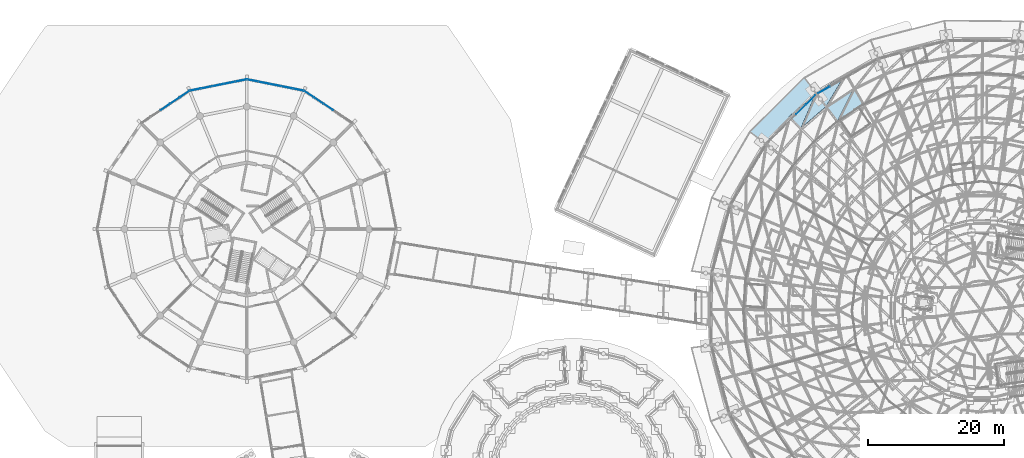
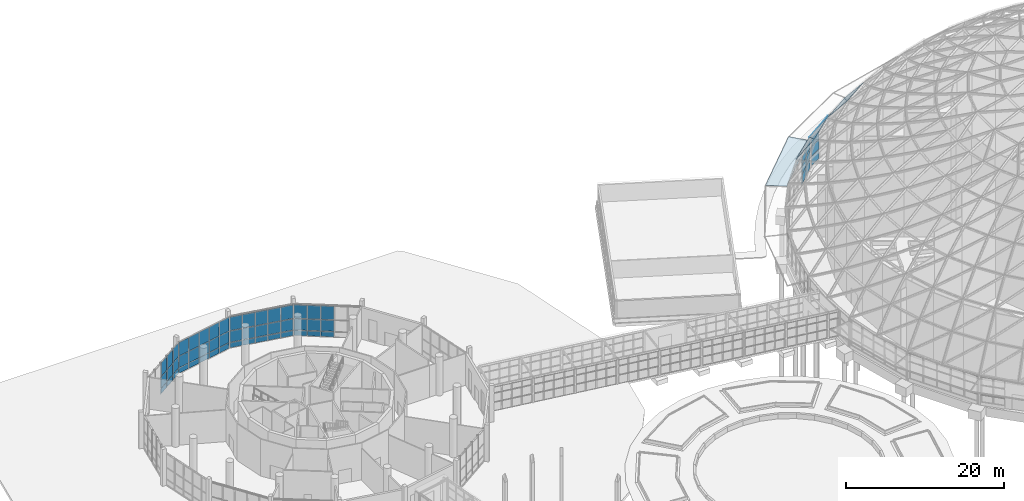
# One storey, part 155 of 226: 63 plates, 6 elements without a shape of their own.
"""IFC4 building model written with IfcOpenShell, lengths in metres."""

from ifc_helpers import new_model, si_unit, direction, frame, origin, origin_2d, place, context, subcontext, project, spatial, polyline, rectangle, outline, extrude, material, layer, layer_set, type_object, element, aggregate, save


model = new_model("IFC4")

# Units and contexts
model_context = context("Model", 3, precision=1e-05, world=origin(), true_north=direction((0.0, 1.0)))
body_context = subcontext(model_context, "Body", "Model", "MODEL_VIEW")
ifc_project = project(units=[si_unit("LENGTHUNIT", "METRE"), si_unit("AREAUNIT", "SQUARE_METRE"), si_unit("VOLUMEUNIT", "CUBIC_METRE"), si_unit("PLANEANGLEUNIT", "RADIAN"), si_unit("MASSUNIT", "GRAM", prefix="KILO")], contexts=[model_context])

# Site, building, storey
site_placement = place(None, origin())
site = spatial("IfcSite", under=ifc_project, at=site_placement, CompositionType="ELEMENT")
building_placement = place(site_placement, origin())
building = spatial("IfcBuilding", under=site, at=building_placement, Name="Ceibo Conservatory and Research Tower", CompositionType="ELEMENT")
storey_placement = place(building_placement, origin())
storey = spatial("IfcBuildingStorey", under=building, at=storey_placement, Name="L00", CompositionType="ELEMENT", Elevation=0.0)

# Plate
ifc_material_1 = material(Name="Laminated glass", Category="glass")
ifc_layer_1 = layer(ifc_material_1, 0.02490234375)
ifc_layer_set_1 = layer_set([ifc_layer_1], Name="Laminated glass")
plate_type_1 = type_object("IfcPlateType", Name="Canopy glass 25", PredefinedType="SHEET", material=ifc_layer_set_1)
plate_1_placement = place(storey_placement, frame((131.636962890625, 140.0390625, 4.07275390625), z_axis=(0.032242027404, -0.032525511113, -0.998950720905), x_axis=(-0.7101903476, -0.704009708864, 2.99274e-07)))
element("IfcPlate", 1, at=plate_1_placement, inside=storey, type_object=plate_type_1, Name="Brim canopy plate A-CP09", PredefinedType="SHEET", context=body_context, shape_type="SweptSolid", body=[
    extrude(outline(polyline([(0.0, 0.0), (10.507265171700269, -1.7763568394002505e-15), (10.866350699170674, 2.7294475761618404), (-0.3589046418377598, 2.7293055616018607), (0.0, 0.0)])), origin(), (0.0, 0.0, 1.0), 0.02490234375),
])

# Curtain wall, plates
ifc_material_2 = material(Name="Aluminium and glass", Category="aluminium")
curtain_wall_type_1 = type_object("IfcCurtainWallType", Name="Drum curtain wall", PredefinedType="NOTDEFINED", material=ifc_material_2)
curtain_wall_1_placement = place(storey_placement, origin())
curtain_wall_1 = element("IfcCurtainWall", 2, at=curtain_wall_1_placement, inside=storey, type_object=curtain_wall_type_1, Name="Drum curtain wall A-CW08", PredefinedType="NOTDEFINED")
ifc_layer_2 = layer(ifc_material_1, 0.028076171875)
ifc_layer_set_2 = layer_set([ifc_layer_2], Name="Laminated glass")
plate_type_2 = type_object("IfcPlateType", Name="Drum glass 28", PredefinedType="CURTAIN_PANEL", material=ifc_layer_set_2)
plate_2_placement = place(storey_placement, frame((132.848876953125, 140.4462890625, 0.06005859375), z_axis=(0.0, 0.0, 1.0), x_axis=(-0.868198821002, -0.49621649228, 0.0)))
plate_2 = element("IfcPlate", 3, at=plate_2_placement, type_object=plate_type_2, Name="A-CW08 panel 5.1", PredefinedType="CURTAIN_PANEL", context=body_context, shape_type="SweptSolid", body=[
    extrude(rectangle(XDim=1.917236328125, YDim=0.028076171875, at=origin_2d()), origin(), (0.0, 0.0, 1.0), 1.43994140625),
])
plate_3_placement = place(storey_placement, frame((132.848876953125, 140.4462890625, 1.56005859375), z_axis=(0.0, 0.0, 1.0), x_axis=(-0.868198821002, -0.49621649228, 0.0)))
plate_3 = element("IfcPlate", 4, at=plate_3_placement, type_object=plate_type_2, Name="A-CW08 panel 5.2", PredefinedType="CURTAIN_PANEL", context=body_context, shape_type="SweptSolid", body=[
    extrude(rectangle(XDim=1.917236328125, YDim=0.028076171875, at=origin_2d()), origin(), (0.0, 0.0, 1.0), 1.425048828125),
])
plate_4_placement = place(storey_placement, frame((132.848876953125, 140.4462890625, 3.044921875), z_axis=(0.0, 0.0, 1.0), x_axis=(-0.868198821002, -0.49621649228, 0.0)))
plate_4 = element("IfcPlate", 5, at=plate_4_placement, type_object=plate_type_2, Name="A-CW08 panel 5.3", PredefinedType="CURTAIN_PANEL", context=body_context, shape_type="SweptSolid", body=[
    extrude(rectangle(XDim=1.917236328125, YDim=0.028076171875, at=origin_2d()), origin(), (0.0, 0.0, 1.0), 1.233154296875),
])
aggregate(curtain_wall_1, [plate_2, plate_3, plate_4])

curtain_wall_2_placement = place(storey_placement, origin())
curtain_wall_2 = element("IfcCurtainWall", 6, at=curtain_wall_2_placement, inside=storey, type_object=curtain_wall_type_1, Name="Drum curtain wall A-CW09", PredefinedType="NOTDEFINED")
plate_5_placement = place(storey_placement, frame((130.920654296875, 138.97998046875, 0.06005859375), z_axis=(0.0, 0.0, 1.0), x_axis=(-0.71018535052, -0.704014749779, 0.0)))
plate_5 = element("IfcPlate", 7, at=plate_5_placement, type_object=plate_type_2, Name="A-CW09 panel 1.1", PredefinedType="CURTAIN_PANEL", context=body_context, shape_type="SweptSolid", body=[
    extrude(rectangle(XDim=1.917236328125, YDim=0.028076171875, at=origin_2d()), origin(), (0.0, 0.0, 1.0), 1.43994140625),
])
plate_6_placement = place(storey_placement, frame((130.920654296875, 138.97998046875, 1.56005859375), z_axis=(0.0, 0.0, 1.0), x_axis=(-0.71018535052, -0.704014749779, 0.0)))
plate_6 = element("IfcPlate", 8, at=plate_6_placement, type_object=plate_type_2, Name="A-CW09 panel 1.2", PredefinedType="CURTAIN_PANEL", context=body_context, shape_type="SweptSolid", body=[
    extrude(rectangle(XDim=1.917236328125, YDim=0.028076171875, at=origin_2d()), origin(), (0.0, 0.0, 1.0), 1.425048828125),
])
plate_7_placement = place(storey_placement, frame((130.920654296875, 138.97998046875, 3.044921875), z_axis=(0.0, 0.0, 1.0), x_axis=(-0.71018535052, -0.704014749779, 0.0)))
plate_7 = element("IfcPlate", 9, at=plate_7_placement, type_object=plate_type_2, Name="A-CW09 panel 1.3", PredefinedType="CURTAIN_PANEL", context=body_context, shape_type="SweptSolid", body=[
    extrude(rectangle(XDim=1.917236328125, YDim=0.028076171875, at=origin_2d()), origin(), (0.0, 0.0, 1.0), 1.233154296875),
])
plate_8_placement = place(storey_placement, frame((129.505859375, 137.577392578125, 0.06005859375), z_axis=(0.0, 0.0, 1.0), x_axis=(-0.71018535052, -0.704014749779, 0.0)))
plate_8 = element("IfcPlate", 10, at=plate_8_placement, type_object=plate_type_2, Name="A-CW09 panel 2.1", PredefinedType="CURTAIN_PANEL", context=body_context, shape_type="SweptSolid", body=[
    extrude(rectangle(XDim=1.947021484375, YDim=0.028076171875, at=origin_2d()), origin(), (0.0, 0.0, 1.0), 1.43994140625),
])
plate_9_placement = place(storey_placement, frame((129.505859375, 137.577392578125, 1.56005859375), z_axis=(0.0, 0.0, 1.0), x_axis=(-0.71018535052, -0.704014749779, 0.0)))
plate_9 = element("IfcPlate", 11, at=plate_9_placement, type_object=plate_type_2, Name="A-CW09 panel 2.2", PredefinedType="CURTAIN_PANEL", context=body_context, shape_type="SweptSolid", body=[
    extrude(rectangle(XDim=1.947021484375, YDim=0.028076171875, at=origin_2d()), origin(), (0.0, 0.0, 1.0), 1.425048828125),
])
plate_10_placement = place(storey_placement, frame((129.505859375, 137.577392578125, 3.044921875), z_axis=(0.0, 0.0, 1.0), x_axis=(-0.71018535052, -0.704014749779, 0.0)))
plate_10 = element("IfcPlate", 12, at=plate_10_placement, type_object=plate_type_2, Name="A-CW09 panel 2.3", PredefinedType="CURTAIN_PANEL", context=body_context, shape_type="SweptSolid", body=[
    extrude(rectangle(XDim=1.947021484375, YDim=0.028076171875, at=origin_2d()), origin(), (0.0, 0.0, 1.0), 1.233154296875),
])
aggregate(curtain_wall_2, [plate_5, plate_6, plate_7, plate_8, plate_9, plate_10])

# Plates
ifc_layer_3 = layer(ifc_material_1, 0.035888671875)
ifc_layer_set_3 = layer_set([ifc_layer_3], Name="Laminated glass")
plate_type_3 = type_object("IfcPlateType", Name="Gridshell roof glass 36", PredefinedType="SHEET", material=ifc_layer_set_3)
plate_11_placement = place(storey_placement, frame((136.06787109375, 142.873291015625, 4.601806640625), z_axis=(-0.45811079424, 0.692141464339, 0.557740704578), x_axis=(-0.833890062559, -0.551930578574, 0.0)))
element("IfcPlate", 13, at=plate_11_placement, inside=storey, type_object=plate_type_3, Name="Glass panel A-P01-031", PredefinedType="SHEET", context=body_context, shape_type="SweptSolid", body=[
    extrude(outline(polyline([(0.0, 0.0), (5.254107049557908, 0.0), (5.093978905781169, 4.37474316134803), (0.0, 0.0)])), origin(), (0.0, 0.0, -1.0), 0.035888671875),
])
plate_12_placement = place(storey_placement, frame((131.6865234375, 139.973388671875, 4.601806640625), z_axis=(-0.544575423436, 0.626371647012, 0.557759955545), x_axis=(-0.75466253606, -0.656113143191, 0.0)))
element("IfcPlate", 14, at=plate_12_placement, inside=storey, type_object=plate_type_3, Name="Glass panel A-P01-033", PredefinedType="SHEET", context=body_context, shape_type="SweptSolid", body=[
    extrude(outline(polyline([(0.0, 0.0), (5.25444399552769, 2.220446049250313e-16), (5.093855868540828, 4.374811345423591), (0.0, 0.0)])), origin(), (0.0, 0.0, -1.0), 0.035888671875),
])
plate_13_placement = place(storey_placement, frame((131.6865234375, 139.973388671875, 4.601806640625), z_axis=(-0.544596939449, 0.626368621684, 0.557742344916), x_axis=(-0.334070816427, -0.77198428106, 0.540774407131)))
element("IfcPlate", 15, at=plate_13_placement, inside=storey, type_object=plate_type_3, Name="Glass panel A-P01-034", PredefinedType="SHEET", context=body_context, shape_type="SweptSolid", body=[
    extrude(outline(polyline([(0.0, 0.0), (6.7146363950339705, -4.440892098500626e-16), (2.9716125697932965, 3.2145820078568876), (0.0, 0.0)])), origin(), (0.0, 0.0, -1.0), 0.035888671875),
])
plate_14_placement = place(storey_placement, frame((137.281982421875, 140.75048828125, 8.23291015625), z_axis=(-0.427477149235, 0.645948438145, 0.632466522544), x_axis=(-0.833925508995, -0.551877020221, 0.0)))
element("IfcPlate", 16, at=plate_14_placement, inside=storey, type_object=plate_type_3, Name="Glass panel A-P02-031", PredefinedType="SHEET", context=body_context, shape_type="SweptSolid", body=[
    extrude(outline(polyline([(0.0, 0.0), (4.934774545942167, 0.0), (4.752936345598222, 4.372916135096226), (0.0, 0.0)])), origin(), (0.0, 0.0, -1.0), 0.035888671875),
])
plate_15_placement = place(storey_placement, frame((137.281982421875, 140.75048828125, 8.23291015625), z_axis=(-0.427599933056, 0.645950595466, 0.632381313345), x_axis=(-0.377369202936, -0.763243671891, 0.52445360328)))
element("IfcPlate", 17, at=plate_15_placement, inside=storey, type_object=plate_type_3, Name="Glass panel A-P02-032", PredefinedType="SHEET", context=body_context, shape_type="SweptSolid", body=[
    extrude(outline(polyline([(0.0, 0.0), (6.458544683587278, 0.0), (3.0940111564099237, 3.095009580727189), (0.0, 0.0)])), origin(), (0.0, 0.0, -1.0), 0.035888671875),
])

# Curtain wall, plates
curtain_wall_type_2 = type_object("IfcCurtainWallType", Name="Curtain wall CW1", PredefinedType="NOTDEFINED", material=ifc_material_2)
curtain_wall_3_placement = place(storey_placement, origin())
curtain_wall_3 = element("IfcCurtainWall", 18, at=curtain_wall_3_placement, inside=storey, type_object=curtain_wall_type_2, Name="CW-00.03", PredefinedType="NOTDEFINED")
ifc_material_3 = material(Name="Glass", Category="glass")
ifc_layer_4 = layer(ifc_material_3, 0.028076171875)
ifc_layer_set_4 = layer_set([ifc_layer_4], Name="Glass")
plate_type_4 = type_object("IfcPlateType", Name="Insulated glass panel 28", PredefinedType="CURTAIN_PANEL", material=ifc_layer_set_4)
plate_16_placement = place(storey_placement, frame((59.98779296875, 137.94091796875, 0.06005859375), z_axis=(0.0, 0.0, 1.0), x_axis=(-0.831469562724, 0.555570307219, 0.0)))
plate_16 = element("IfcPlate", 19, at=plate_16_placement, type_object=plate_type_4, Name="CW-00.03 panel 3.1", PredefinedType="CURTAIN_PANEL", context=body_context, shape_type="SweptSolid", body=[
    extrude(rectangle(XDim=1.65673828125, YDim=0.028076171875, at=origin_2d()), origin(), (0.0, 0.0, 1.0), 0.81005859375),
])
plate_17_placement = place(storey_placement, frame((59.98779296875, 137.94091796875, 0.93017578125), z_axis=(0.0, 0.0, 1.0), x_axis=(-0.831469562724, 0.555570307219, 0.0)))
plate_17 = element("IfcPlate", 20, at=plate_17_placement, type_object=plate_type_4, Name="CW-00.03 panel 3.2", PredefinedType="CURTAIN_PANEL", context=body_context, shape_type="SweptSolid", body=[
    extrude(rectangle(XDim=1.65673828125, YDim=0.028076171875, at=origin_2d()), origin(), (0.0, 0.0, 1.0), 1.739990234375),
])
plate_18_placement = place(storey_placement, frame((59.98779296875, 137.94091796875, 2.72998046875), z_axis=(0.0, 0.0, 1.0), x_axis=(-0.831469562724, 0.555570307219, 0.0)))
plate_18 = element("IfcPlate", 21, at=plate_18_placement, type_object=plate_type_4, Name="CW-00.03 panel 3.3", PredefinedType="CURTAIN_PANEL", context=body_context, shape_type="SweptSolid", body=[
    extrude(rectangle(XDim=1.65673828125, YDim=0.028076171875, at=origin_2d()), origin(), (0.0, 0.0, 1.0), 2.110107421875),
])
plate_19_placement = place(storey_placement, frame((58.560302734375, 138.89453125, 0.06005859375), z_axis=(0.0, 0.0, 1.0), x_axis=(-0.831469562724, 0.555570307219, 0.0)))
plate_19 = element("IfcPlate", 22, at=plate_19_placement, type_object=plate_type_4, Name="CW-00.03 panel 4.1", PredefinedType="CURTAIN_PANEL", context=body_context, shape_type="SweptSolid", body=[
    extrude(rectangle(XDim=1.65673828125, YDim=0.028076171875, at=origin_2d()), origin(), (0.0, 0.0, 1.0), 0.81005859375),
])
plate_20_placement = place(storey_placement, frame((58.560302734375, 138.89453125, 0.93017578125), z_axis=(0.0, 0.0, 1.0), x_axis=(-0.831469562724, 0.555570307219, 0.0)))
plate_20 = element("IfcPlate", 23, at=plate_20_placement, type_object=plate_type_4, Name="CW-00.03 panel 4.2", PredefinedType="CURTAIN_PANEL", context=body_context, shape_type="SweptSolid", body=[
    extrude(rectangle(XDim=1.65673828125, YDim=0.028076171875, at=origin_2d()), origin(), (0.0, 0.0, 1.0), 1.739990234375),
])
plate_21_placement = place(storey_placement, frame((58.560302734375, 138.89453125, 2.72998046875), z_axis=(0.0, 0.0, 1.0), x_axis=(-0.831469562724, 0.555570307219, 0.0)))
plate_21 = element("IfcPlate", 24, at=plate_21_placement, type_object=plate_type_4, Name="CW-00.03 panel 4.3", PredefinedType="CURTAIN_PANEL", context=body_context, shape_type="SweptSolid", body=[
    extrude(rectangle(XDim=1.65673828125, YDim=0.028076171875, at=origin_2d()), origin(), (0.0, 0.0, 1.0), 2.110107421875),
])
plate_22_placement = place(storey_placement, frame((57.145263671875, 139.840087890625, 0.06005859375), z_axis=(0.0, 0.0, 1.0), x_axis=(-0.831469562724, 0.555570307219, 0.0)))
plate_22 = element("IfcPlate", 25, at=plate_22_placement, type_object=plate_type_4, Name="CW-00.03 panel 5.1", PredefinedType="CURTAIN_PANEL", context=body_context, shape_type="SweptSolid", body=[
    extrude(rectangle(XDim=1.626708984375, YDim=0.028076171875, at=origin_2d()), origin(), (0.0, 0.0, 1.0), 0.81005859375),
])
plate_23_placement = place(storey_placement, frame((57.145263671875, 139.840087890625, 0.93017578125), z_axis=(0.0, 0.0, 1.0), x_axis=(-0.831469562724, 0.555570307219, 0.0)))
plate_23 = element("IfcPlate", 26, at=plate_23_placement, type_object=plate_type_4, Name="CW-00.03 panel 5.2", PredefinedType="CURTAIN_PANEL", context=body_context, shape_type="SweptSolid", body=[
    extrude(rectangle(XDim=1.626708984375, YDim=0.028076171875, at=origin_2d()), origin(), (0.0, 0.0, 1.0), 1.739990234375),
])
plate_24_placement = place(storey_placement, frame((57.145263671875, 139.840087890625, 2.72998046875), z_axis=(0.0, 0.0, 1.0), x_axis=(-0.831469562724, 0.555570307219, 0.0)))
plate_24 = element("IfcPlate", 27, at=plate_24_placement, type_object=plate_type_4, Name="CW-00.03 panel 5.3", PredefinedType="CURTAIN_PANEL", context=body_context, shape_type="SweptSolid", body=[
    extrude(rectangle(XDim=1.626708984375, YDim=0.028076171875, at=origin_2d()), origin(), (0.0, 0.0, 1.0), 2.110107421875),
])
aggregate(curtain_wall_3, [plate_16, plate_17, plate_18, plate_19, plate_20, plate_21, plate_22, plate_23, plate_24])

curtain_wall_4_placement = place(storey_placement, origin())
curtain_wall_4 = element("IfcCurtainWall", 28, at=curtain_wall_4_placement, inside=storey, type_object=curtain_wall_type_2, Name="CW-00.04", PredefinedType="NOTDEFINED")
plate_25_placement = place(storey_placement, frame((55.5625, 140.495849609375, 0.06005859375), z_axis=(0.0, 0.0, 1.0), x_axis=(-0.980785288916, 0.195090279221, 0.0)))
plate_25 = element("IfcPlate", 29, at=plate_25_placement, type_object=plate_type_4, Name="CW-00.04 panel 1.1", PredefinedType="CURTAIN_PANEL", context=body_context, shape_type="SweptSolid", body=[
    extrude(rectangle(XDim=1.626708984375, YDim=0.028076171875, at=origin_2d()), origin(), (0.0, 0.0, 1.0), 0.81005859375),
])
plate_26_placement = place(storey_placement, frame((55.5625, 140.495849609375, 0.93017578125), z_axis=(0.0, 0.0, 1.0), x_axis=(-0.980785288916, 0.195090279221, 0.0)))
plate_26 = element("IfcPlate", 30, at=plate_26_placement, type_object=plate_type_4, Name="CW-00.04 panel 1.2", PredefinedType="CURTAIN_PANEL", context=body_context, shape_type="SweptSolid", body=[
    extrude(rectangle(XDim=1.626708984375, YDim=0.028076171875, at=origin_2d()), origin(), (0.0, 0.0, 1.0), 1.739990234375),
])
plate_27_placement = place(storey_placement, frame((55.5625, 140.495849609375, 2.72998046875), z_axis=(0.0, 0.0, 1.0), x_axis=(-0.980785288916, 0.195090279221, 0.0)))
plate_27 = element("IfcPlate", 31, at=plate_27_placement, type_object=plate_type_4, Name="CW-00.04 panel 1.3", PredefinedType="CURTAIN_PANEL", context=body_context, shape_type="SweptSolid", body=[
    extrude(rectangle(XDim=1.626708984375, YDim=0.028076171875, at=origin_2d()), origin(), (0.0, 0.0, 1.0), 2.110107421875),
])
plate_28_placement = place(storey_placement, frame((53.893310546875, 140.82763671875, 0.06005859375), z_axis=(0.0, 0.0, 1.0), x_axis=(-0.980785288916, 0.195090279221, 0.0)))
plate_28 = element("IfcPlate", 32, at=plate_28_placement, type_object=plate_type_4, Name="CW-00.04 panel 2.1", PredefinedType="CURTAIN_PANEL", context=body_context, shape_type="SweptSolid", body=[
    extrude(rectangle(XDim=1.65673828125, YDim=0.028076171875, at=origin_2d()), origin(), (0.0, 0.0, 1.0), 0.81005859375),
])
plate_29_placement = place(storey_placement, frame((53.893310546875, 140.82763671875, 0.93017578125), z_axis=(0.0, 0.0, 1.0), x_axis=(-0.980785288916, 0.195090279221, 0.0)))
plate_29 = element("IfcPlate", 33, at=plate_29_placement, type_object=plate_type_4, Name="CW-00.04 panel 2.2", PredefinedType="CURTAIN_PANEL", context=body_context, shape_type="SweptSolid", body=[
    extrude(rectangle(XDim=1.65673828125, YDim=0.028076171875, at=origin_2d()), origin(), (0.0, 0.0, 1.0), 1.739990234375),
])
plate_30_placement = place(storey_placement, frame((53.893310546875, 140.82763671875, 2.72998046875), z_axis=(0.0, 0.0, 1.0), x_axis=(-0.980785288916, 0.195090279221, 0.0)))
plate_30 = element("IfcPlate", 34, at=plate_30_placement, type_object=plate_type_4, Name="CW-00.04 panel 2.3", PredefinedType="CURTAIN_PANEL", context=body_context, shape_type="SweptSolid", body=[
    extrude(rectangle(XDim=1.65673828125, YDim=0.028076171875, at=origin_2d()), origin(), (0.0, 0.0, 1.0), 2.110107421875),
])
plate_31_placement = place(storey_placement, frame((52.20947265625, 141.16259765625, 0.06005859375), z_axis=(0.0, 0.0, 1.0), x_axis=(-0.980785288916, 0.195090279221, 0.0)))
plate_31 = element("IfcPlate", 35, at=plate_31_placement, type_object=plate_type_4, Name="CW-00.04 panel 3.1", PredefinedType="CURTAIN_PANEL", context=body_context, shape_type="SweptSolid", body=[
    extrude(rectangle(XDim=1.65673828125, YDim=0.028076171875, at=origin_2d()), origin(), (0.0, 0.0, 1.0), 0.81005859375),
])
plate_32_placement = place(storey_placement, frame((52.20947265625, 141.16259765625, 0.93017578125), z_axis=(0.0, 0.0, 1.0), x_axis=(-0.980785288916, 0.195090279221, 0.0)))
plate_32 = element("IfcPlate", 36, at=plate_32_placement, type_object=plate_type_4, Name="CW-00.04 panel 3.2", PredefinedType="CURTAIN_PANEL", context=body_context, shape_type="SweptSolid", body=[
    extrude(rectangle(XDim=1.65673828125, YDim=0.028076171875, at=origin_2d()), origin(), (0.0, 0.0, 1.0), 1.739990234375),
])
plate_33_placement = place(storey_placement, frame((52.20947265625, 141.16259765625, 2.72998046875), z_axis=(0.0, 0.0, 1.0), x_axis=(-0.980785288916, 0.195090279221, 0.0)))
plate_33 = element("IfcPlate", 37, at=plate_33_placement, type_object=plate_type_4, Name="CW-00.04 panel 3.3", PredefinedType="CURTAIN_PANEL", context=body_context, shape_type="SweptSolid", body=[
    extrude(rectangle(XDim=1.65673828125, YDim=0.028076171875, at=origin_2d()), origin(), (0.0, 0.0, 1.0), 2.110107421875),
])
plate_34_placement = place(storey_placement, frame((50.525634765625, 141.49755859375, 0.06005859375), z_axis=(0.0, 0.0, 1.0), x_axis=(-0.980785288916, 0.195090279221, 0.0)))
plate_34 = element("IfcPlate", 38, at=plate_34_placement, type_object=plate_type_4, Name="CW-00.04 panel 4.1", PredefinedType="CURTAIN_PANEL", context=body_context, shape_type="SweptSolid", body=[
    extrude(rectangle(XDim=1.65673828125, YDim=0.028076171875, at=origin_2d()), origin(), (0.0, 0.0, 1.0), 0.81005859375),
])
plate_35_placement = place(storey_placement, frame((50.525634765625, 141.49755859375, 0.93017578125), z_axis=(0.0, 0.0, 1.0), x_axis=(-0.980785288916, 0.195090279221, 0.0)))
plate_35 = element("IfcPlate", 39, at=plate_35_placement, type_object=plate_type_4, Name="CW-00.04 panel 4.2", PredefinedType="CURTAIN_PANEL", context=body_context, shape_type="SweptSolid", body=[
    extrude(rectangle(XDim=1.65673828125, YDim=0.028076171875, at=origin_2d()), origin(), (0.0, 0.0, 1.0), 1.739990234375),
])
plate_36_placement = place(storey_placement, frame((50.525634765625, 141.49755859375, 2.72998046875), z_axis=(0.0, 0.0, 1.0), x_axis=(-0.980785288916, 0.195090279221, 0.0)))
plate_36 = element("IfcPlate", 40, at=plate_36_placement, type_object=plate_type_4, Name="CW-00.04 panel 4.3", PredefinedType="CURTAIN_PANEL", context=body_context, shape_type="SweptSolid", body=[
    extrude(rectangle(XDim=1.65673828125, YDim=0.028076171875, at=origin_2d()), origin(), (0.0, 0.0, 1.0), 2.110107421875),
])
plate_37_placement = place(storey_placement, frame((48.856689453125, 141.82958984375, 0.06005859375), z_axis=(0.0, 0.0, 1.0), x_axis=(-0.980785288916, 0.195090279221, 0.0)))
plate_37 = element("IfcPlate", 41, at=plate_37_placement, type_object=plate_type_4, Name="CW-00.04 panel 5.1", PredefinedType="CURTAIN_PANEL", context=body_context, shape_type="SweptSolid", body=[
    extrude(rectangle(XDim=1.626708984375, YDim=0.028076171875, at=origin_2d()), origin(), (0.0, 0.0, 1.0), 0.81005859375),
])
plate_38_placement = place(storey_placement, frame((48.856689453125, 141.82958984375, 0.93017578125), z_axis=(0.0, 0.0, 1.0), x_axis=(-0.980785288916, 0.195090279221, 0.0)))
plate_38 = element("IfcPlate", 42, at=plate_38_placement, type_object=plate_type_4, Name="CW-00.04 panel 5.2", PredefinedType="CURTAIN_PANEL", context=body_context, shape_type="SweptSolid", body=[
    extrude(rectangle(XDim=1.626708984375, YDim=0.028076171875, at=origin_2d()), origin(), (0.0, 0.0, 1.0), 1.739990234375),
])
plate_39_placement = place(storey_placement, frame((48.856689453125, 141.82958984375, 2.72998046875), z_axis=(0.0, 0.0, 1.0), x_axis=(-0.980785288916, 0.195090279221, 0.0)))
plate_39 = element("IfcPlate", 43, at=plate_39_placement, type_object=plate_type_4, Name="CW-00.04 panel 5.3", PredefinedType="CURTAIN_PANEL", context=body_context, shape_type="SweptSolid", body=[
    extrude(rectangle(XDim=1.626708984375, YDim=0.028076171875, at=origin_2d()), origin(), (0.0, 0.0, 1.0), 2.110107421875),
])
aggregate(curtain_wall_4, [plate_25, plate_26, plate_27, plate_28, plate_29, plate_30, plate_31, plate_32, plate_33, plate_34, plate_35, plate_36, plate_37, plate_38, plate_39])

curtain_wall_5_placement = place(storey_placement, origin())
curtain_wall_5 = element("IfcCurtainWall", 44, at=curtain_wall_5_placement, inside=storey, type_object=curtain_wall_type_2, Name="CW-00.05", PredefinedType="NOTDEFINED")
plate_40_placement = place(storey_placement, frame((47.143310546875, 141.82958984375, 0.06005859375), z_axis=(0.0, 0.0, 1.0), x_axis=(-0.980785288916, -0.195090279221, 0.0)))
plate_40 = element("IfcPlate", 45, at=plate_40_placement, type_object=plate_type_4, Name="CW-00.05 panel 1.1", PredefinedType="CURTAIN_PANEL", context=body_context, shape_type="SweptSolid", body=[
    extrude(rectangle(XDim=1.626708984375, YDim=0.028076171875, at=origin_2d()), origin(), (0.0, 0.0, 1.0), 0.81005859375),
])
plate_41_placement = place(storey_placement, frame((47.143310546875, 141.82958984375, 0.93017578125), z_axis=(0.0, 0.0, 1.0), x_axis=(-0.980785288916, -0.195090279221, 0.0)))
plate_41 = element("IfcPlate", 46, at=plate_41_placement, type_object=plate_type_4, Name="CW-00.05 panel 1.2", PredefinedType="CURTAIN_PANEL", context=body_context, shape_type="SweptSolid", body=[
    extrude(rectangle(XDim=1.626708984375, YDim=0.028076171875, at=origin_2d()), origin(), (0.0, 0.0, 1.0), 1.739990234375),
])
plate_42_placement = place(storey_placement, frame((47.143310546875, 141.82958984375, 2.72998046875), z_axis=(0.0, 0.0, 1.0), x_axis=(-0.980785288916, -0.195090279221, 0.0)))
plate_42 = element("IfcPlate", 47, at=plate_42_placement, type_object=plate_type_4, Name="CW-00.05 panel 1.3", PredefinedType="CURTAIN_PANEL", context=body_context, shape_type="SweptSolid", body=[
    extrude(rectangle(XDim=1.626708984375, YDim=0.028076171875, at=origin_2d()), origin(), (0.0, 0.0, 1.0), 2.110107421875),
])
plate_43_placement = place(storey_placement, frame((45.474365234375, 141.49755859375, 0.06005859375), z_axis=(0.0, 0.0, 1.0), x_axis=(-0.980785288916, -0.195090279221, 0.0)))
plate_43 = element("IfcPlate", 48, at=plate_43_placement, type_object=plate_type_4, Name="CW-00.05 panel 2.1", PredefinedType="CURTAIN_PANEL", context=body_context, shape_type="SweptSolid", body=[
    extrude(rectangle(XDim=1.65673828125, YDim=0.028076171875, at=origin_2d()), origin(), (0.0, 0.0, 1.0), 0.81005859375),
])
plate_44_placement = place(storey_placement, frame((45.474365234375, 141.49755859375, 0.93017578125), z_axis=(0.0, 0.0, 1.0), x_axis=(-0.980785288916, -0.195090279221, 0.0)))
plate_44 = element("IfcPlate", 49, at=plate_44_placement, type_object=plate_type_4, Name="CW-00.05 panel 2.2", PredefinedType="CURTAIN_PANEL", context=body_context, shape_type="SweptSolid", body=[
    extrude(rectangle(XDim=1.65673828125, YDim=0.028076171875, at=origin_2d()), origin(), (0.0, 0.0, 1.0), 1.739990234375),
])
plate_45_placement = place(storey_placement, frame((45.474365234375, 141.49755859375, 2.72998046875), z_axis=(0.0, 0.0, 1.0), x_axis=(-0.980785288916, -0.195090279221, 0.0)))
plate_45 = element("IfcPlate", 50, at=plate_45_placement, type_object=plate_type_4, Name="CW-00.05 panel 2.3", PredefinedType="CURTAIN_PANEL", context=body_context, shape_type="SweptSolid", body=[
    extrude(rectangle(XDim=1.65673828125, YDim=0.028076171875, at=origin_2d()), origin(), (0.0, 0.0, 1.0), 2.110107421875),
])
plate_46_placement = place(storey_placement, frame((43.79052734375, 141.16259765625, 0.06005859375), z_axis=(0.0, 0.0, 1.0), x_axis=(-0.980785288916, -0.195090279221, 0.0)))
plate_46 = element("IfcPlate", 51, at=plate_46_placement, type_object=plate_type_4, Name="CW-00.05 panel 3.1", PredefinedType="CURTAIN_PANEL", context=body_context, shape_type="SweptSolid", body=[
    extrude(rectangle(XDim=1.65673828125, YDim=0.028076171875, at=origin_2d()), origin(), (0.0, 0.0, 1.0), 0.81005859375),
])
plate_47_placement = place(storey_placement, frame((43.79052734375, 141.16259765625, 0.93017578125), z_axis=(0.0, 0.0, 1.0), x_axis=(-0.980785288916, -0.195090279221, 0.0)))
plate_47 = element("IfcPlate", 52, at=plate_47_placement, type_object=plate_type_4, Name="CW-00.05 panel 3.2", PredefinedType="CURTAIN_PANEL", context=body_context, shape_type="SweptSolid", body=[
    extrude(rectangle(XDim=1.65673828125, YDim=0.028076171875, at=origin_2d()), origin(), (0.0, 0.0, 1.0), 1.739990234375),
])
plate_48_placement = place(storey_placement, frame((43.79052734375, 141.16259765625, 2.72998046875), z_axis=(0.0, 0.0, 1.0), x_axis=(-0.980785288916, -0.195090279221, 0.0)))
plate_48 = element("IfcPlate", 53, at=plate_48_placement, type_object=plate_type_4, Name="CW-00.05 panel 3.3", PredefinedType="CURTAIN_PANEL", context=body_context, shape_type="SweptSolid", body=[
    extrude(rectangle(XDim=1.65673828125, YDim=0.028076171875, at=origin_2d()), origin(), (0.0, 0.0, 1.0), 2.110107421875),
])
plate_49_placement = place(storey_placement, frame((42.106689453125, 140.82763671875, 0.06005859375), z_axis=(0.0, 0.0, 1.0), x_axis=(-0.980785288916, -0.195090279221, 0.0)))
plate_49 = element("IfcPlate", 54, at=plate_49_placement, type_object=plate_type_4, Name="CW-00.05 panel 4.1", PredefinedType="CURTAIN_PANEL", context=body_context, shape_type="SweptSolid", body=[
    extrude(rectangle(XDim=1.65673828125, YDim=0.028076171875, at=origin_2d()), origin(), (0.0, 0.0, 1.0), 0.81005859375),
])
plate_50_placement = place(storey_placement, frame((42.106689453125, 140.82763671875, 0.93017578125), z_axis=(0.0, 0.0, 1.0), x_axis=(-0.980785288916, -0.195090279221, 0.0)))
plate_50 = element("IfcPlate", 55, at=plate_50_placement, type_object=plate_type_4, Name="CW-00.05 panel 4.2", PredefinedType="CURTAIN_PANEL", context=body_context, shape_type="SweptSolid", body=[
    extrude(rectangle(XDim=1.65673828125, YDim=0.028076171875, at=origin_2d()), origin(), (0.0, 0.0, 1.0), 1.739990234375),
])
plate_51_placement = place(storey_placement, frame((42.106689453125, 140.82763671875, 2.72998046875), z_axis=(0.0, 0.0, 1.0), x_axis=(-0.980785288916, -0.195090279221, 0.0)))
plate_51 = element("IfcPlate", 56, at=plate_51_placement, type_object=plate_type_4, Name="CW-00.05 panel 4.3", PredefinedType="CURTAIN_PANEL", context=body_context, shape_type="SweptSolid", body=[
    extrude(rectangle(XDim=1.65673828125, YDim=0.028076171875, at=origin_2d()), origin(), (0.0, 0.0, 1.0), 2.110107421875),
])
plate_52_placement = place(storey_placement, frame((40.4375, 140.495849609375, 0.06005859375), z_axis=(0.0, 0.0, 1.0), x_axis=(-0.980785288916, -0.195090279221, 0.0)))
plate_52 = element("IfcPlate", 57, at=plate_52_placement, type_object=plate_type_4, Name="CW-00.05 panel 5.1", PredefinedType="CURTAIN_PANEL", context=body_context, shape_type="SweptSolid", body=[
    extrude(rectangle(XDim=1.626708984375, YDim=0.028076171875, at=origin_2d()), origin(), (0.0, 0.0, 1.0), 0.81005859375),
])
plate_53_placement = place(storey_placement, frame((40.4375, 140.495849609375, 0.93017578125), z_axis=(0.0, 0.0, 1.0), x_axis=(-0.980785288916, -0.195090279221, 0.0)))
plate_53 = element("IfcPlate", 58, at=plate_53_placement, type_object=plate_type_4, Name="CW-00.05 panel 5.2", PredefinedType="CURTAIN_PANEL", context=body_context, shape_type="SweptSolid", body=[
    extrude(rectangle(XDim=1.626708984375, YDim=0.028076171875, at=origin_2d()), origin(), (0.0, 0.0, 1.0), 1.739990234375),
])
plate_54_placement = place(storey_placement, frame((40.4375, 140.495849609375, 2.72998046875), z_axis=(0.0, 0.0, 1.0), x_axis=(-0.980785288916, -0.195090279221, 0.0)))
plate_54 = element("IfcPlate", 59, at=plate_54_placement, type_object=plate_type_4, Name="CW-00.05 panel 5.3", PredefinedType="CURTAIN_PANEL", context=body_context, shape_type="SweptSolid", body=[
    extrude(rectangle(XDim=1.626708984375, YDim=0.028076171875, at=origin_2d()), origin(), (0.0, 0.0, 1.0), 2.110107421875),
])
aggregate(curtain_wall_5, [plate_40, plate_41, plate_42, plate_43, plate_44, plate_45, plate_46, plate_47, plate_48, plate_49, plate_50, plate_51, plate_52, plate_53, plate_54])

curtain_wall_6_placement = place(storey_placement, origin())
curtain_wall_6 = element("IfcCurtainWall", 60, at=curtain_wall_6_placement, inside=storey, type_object=curtain_wall_type_2, Name="CW-00.06", PredefinedType="NOTDEFINED")
plate_55_placement = place(storey_placement, frame((38.854736328125, 139.840087890625, 0.06005859375), z_axis=(0.0, 0.0, 1.0), x_axis=(-0.831469562724, -0.555570307219, 0.0)))
plate_55 = element("IfcPlate", 61, at=plate_55_placement, type_object=plate_type_4, Name="CW-00.06 panel 1.1", PredefinedType="CURTAIN_PANEL", context=body_context, shape_type="SweptSolid", body=[
    extrude(rectangle(XDim=1.626708984375, YDim=0.028076171875, at=origin_2d()), origin(), (0.0, 0.0, 1.0), 0.81005859375),
])
plate_56_placement = place(storey_placement, frame((38.854736328125, 139.840087890625, 0.93017578125), z_axis=(0.0, 0.0, 1.0), x_axis=(-0.831469562724, -0.555570307219, 0.0)))
plate_56 = element("IfcPlate", 62, at=plate_56_placement, type_object=plate_type_4, Name="CW-00.06 panel 1.2", PredefinedType="CURTAIN_PANEL", context=body_context, shape_type="SweptSolid", body=[
    extrude(rectangle(XDim=1.626708984375, YDim=0.028076171875, at=origin_2d()), origin(), (0.0, 0.0, 1.0), 1.739990234375),
])
plate_57_placement = place(storey_placement, frame((38.854736328125, 139.840087890625, 2.72998046875), z_axis=(0.0, 0.0, 1.0), x_axis=(-0.831469562724, -0.555570307219, 0.0)))
plate_57 = element("IfcPlate", 63, at=plate_57_placement, type_object=plate_type_4, Name="CW-00.06 panel 1.3", PredefinedType="CURTAIN_PANEL", context=body_context, shape_type="SweptSolid", body=[
    extrude(rectangle(XDim=1.626708984375, YDim=0.028076171875, at=origin_2d()), origin(), (0.0, 0.0, 1.0), 2.110107421875),
])
plate_58_placement = place(storey_placement, frame((37.439697265625, 138.89453125, 0.06005859375), z_axis=(0.0, 0.0, 1.0), x_axis=(-0.831469562724, -0.555570307219, 0.0)))
plate_58 = element("IfcPlate", 64, at=plate_58_placement, type_object=plate_type_4, Name="CW-00.06 panel 2.1", PredefinedType="CURTAIN_PANEL", context=body_context, shape_type="SweptSolid", body=[
    extrude(rectangle(XDim=1.65673828125, YDim=0.028076171875, at=origin_2d()), origin(), (0.0, 0.0, 1.0), 0.81005859375),
])
plate_59_placement = place(storey_placement, frame((37.439697265625, 138.89453125, 0.93017578125), z_axis=(0.0, 0.0, 1.0), x_axis=(-0.831469562724, -0.555570307219, 0.0)))
plate_59 = element("IfcPlate", 65, at=plate_59_placement, type_object=plate_type_4, Name="CW-00.06 panel 2.2", PredefinedType="CURTAIN_PANEL", context=body_context, shape_type="SweptSolid", body=[
    extrude(rectangle(XDim=1.65673828125, YDim=0.028076171875, at=origin_2d()), origin(), (0.0, 0.0, 1.0), 1.739990234375),
])
plate_60_placement = place(storey_placement, frame((37.439697265625, 138.89453125, 2.72998046875), z_axis=(0.0, 0.0, 1.0), x_axis=(-0.831469562724, -0.555570307219, 0.0)))
plate_60 = element("IfcPlate", 66, at=plate_60_placement, type_object=plate_type_4, Name="CW-00.06 panel 2.3", PredefinedType="CURTAIN_PANEL", context=body_context, shape_type="SweptSolid", body=[
    extrude(rectangle(XDim=1.65673828125, YDim=0.028076171875, at=origin_2d()), origin(), (0.0, 0.0, 1.0), 2.110107421875),
])
plate_61_placement = place(storey_placement, frame((36.01220703125, 137.94091796875, 0.06005859375), z_axis=(0.0, 0.0, 1.0), x_axis=(-0.831469562724, -0.555570307219, 0.0)))
plate_61 = element("IfcPlate", 67, at=plate_61_placement, type_object=plate_type_4, Name="CW-00.06 panel 3.1", PredefinedType="CURTAIN_PANEL", context=body_context, shape_type="SweptSolid", body=[
    extrude(rectangle(XDim=1.65673828125, YDim=0.028076171875, at=origin_2d()), origin(), (0.0, 0.0, 1.0), 0.81005859375),
])
plate_62_placement = place(storey_placement, frame((36.01220703125, 137.94091796875, 0.93017578125), z_axis=(0.0, 0.0, 1.0), x_axis=(-0.831469562724, -0.555570307219, 0.0)))
plate_62 = element("IfcPlate", 68, at=plate_62_placement, type_object=plate_type_4, Name="CW-00.06 panel 3.2", PredefinedType="CURTAIN_PANEL", context=body_context, shape_type="SweptSolid", body=[
    extrude(rectangle(XDim=1.65673828125, YDim=0.028076171875, at=origin_2d()), origin(), (0.0, 0.0, 1.0), 1.739990234375),
])
plate_63_placement = place(storey_placement, frame((36.01220703125, 137.94091796875, 2.72998046875), z_axis=(0.0, 0.0, 1.0), x_axis=(-0.831469562724, -0.555570307219, 0.0)))
plate_63 = element("IfcPlate", 69, at=plate_63_placement, type_object=plate_type_4, Name="CW-00.06 panel 3.3", PredefinedType="CURTAIN_PANEL", context=body_context, shape_type="SweptSolid", body=[
    extrude(rectangle(XDim=1.65673828125, YDim=0.028076171875, at=origin_2d()), origin(), (0.0, 0.0, 1.0), 2.110107421875),
])
aggregate(curtain_wall_6, [plate_55, plate_56, plate_57, plate_58, plate_59, plate_60, plate_61, plate_62, plate_63])

save(model, "model.ifc")
